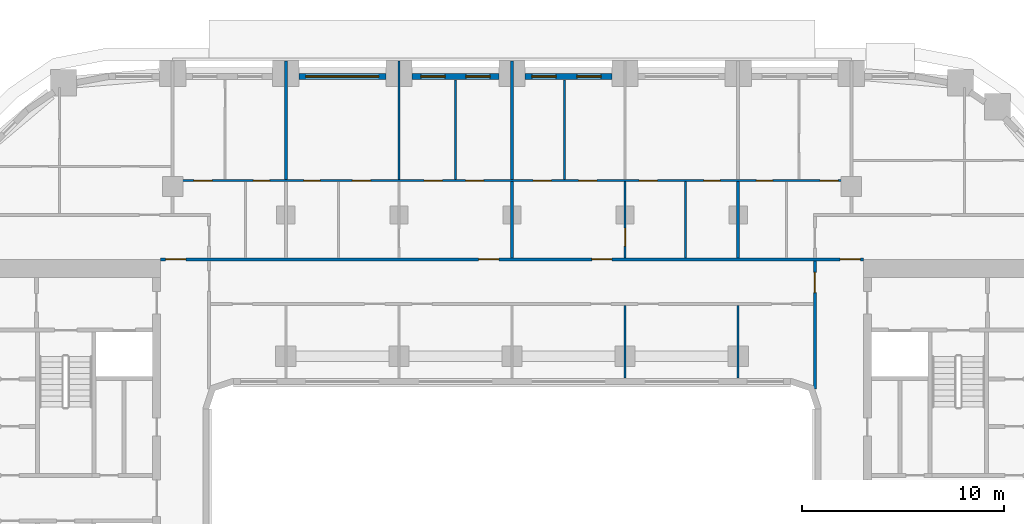
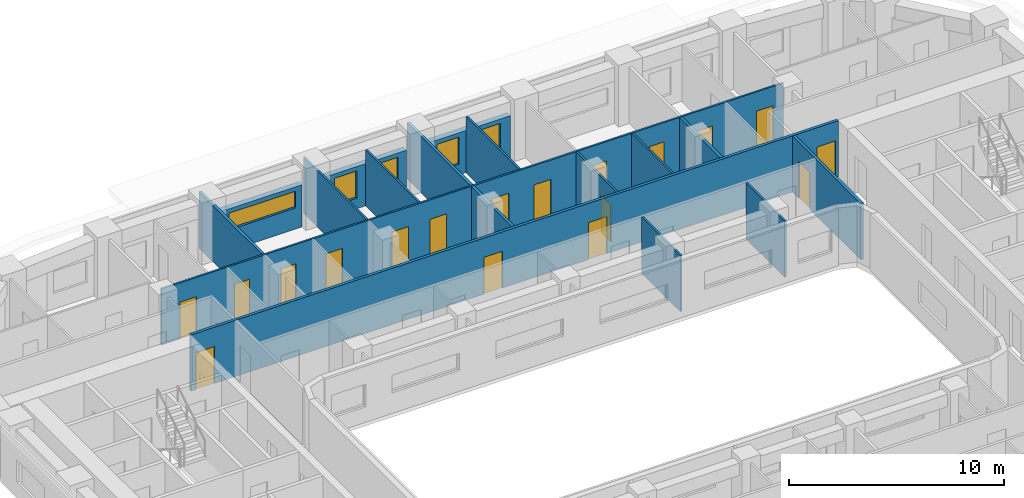
# One storey, part 9 of 22: 18 doors, 17 walls, 5 windows, 23 openings.
"""IFC4 building model written with IfcOpenShell, lengths in metres."""

from ifc_helpers import new_model, si_unit, direction, frame, frame_2d, origin, place, context, subcontext, project, spatial, rectangle, extrude, material, layer, layer_set, type_object, element, fill, save


model = new_model("IFC4")

# Units and contexts
model_context = context("Model", 3, precision=1e-05, world=origin(), true_north=direction((0.0, 1.0)))
body_context = subcontext(model_context, "Body", "Model", "MODEL_VIEW")
ifc_project = project(units=[si_unit("LENGTHUNIT", "METRE"), si_unit("AREAUNIT", "SQUARE_METRE"), si_unit("VOLUMEUNIT", "CUBIC_METRE"), si_unit("PLANEANGLEUNIT", "RADIAN"), si_unit("MASSUNIT", "GRAM", prefix="KILO")], contexts=[model_context])

# Site, building, storey
site_placement = place(None, origin())
site = spatial("IfcSite", under=ifc_project, at=site_placement, CompositionType="ELEMENT")
building_placement = place(site_placement, origin())
building = spatial("IfcBuilding", under=site, at=building_placement, Name="Kiln Ring Residences", CompositionType="ELEMENT")
storey_placement = place(building_placement, frame((0.0, 0.0, 90.300048828125)))
storey = spatial("IfcBuildingStorey", under=building, at=storey_placement, Name="L22", CompositionType="ELEMENT", Elevation=90.300048828125)

# Wall, openings, windows
ifc_material_1 = material(Name="Brick masonry, dark clay brick", Category="masonry")
ifc_layer_1 = layer(ifc_material_1, 0.300048828125)
ifc_layer_set_1 = layer_set([ifc_layer_1], Name="EW-300 BRICK WALL")
wall_type_1 = type_object("IfcWallType", Name="EW-300 BRICK WALL", PredefinedType="SOLIDWALL", material=ifc_layer_set_1)
wall_1_placement = place(storey_placement, frame((4.949951171875, 22.25, 0.0), z_axis=(0.0, 0.0, 1.0), x_axis=(-1.0, 0.0, 0.0)))
wall_1 = element("IfcWall", 1, at=wall_1_placement, inside=storey, type_object=wall_type_1, Name="Facade wall L22 31", PredefinedType="SOLIDWALL", context=body_context, shape_type="SweptSolid", body=[
    extrude(rectangle(XDim=4.300048828125, YDim=0.300048828125, at=frame_2d((2.14990234375, 0.0))), origin(), (0.0, 0.0, 1.0), 2.39990234375),
])
opening_1_placement = place(wall_1_placement, frame((0.53759765625, 0.0, 0.60009765625)))
opening_1 = element("IfcOpeningElement", 2, at=opening_1_placement, cuts=wall_1, Name="Opening W1", PredefinedType="OPENING", context=body_context, shape_type="SweptSolid", body=[
    extrude(rectangle(XDim=1.199951171875, YDim=1.550048828125, at=frame_2d((0.60009765625, 0.77490234375))), frame((0.0, 0.159912109375, 0.0), z_axis=(0.0, -1.0, 0.0), x_axis=(1.0, 0.0, 0.0)), (0.0, 0.0, 1.0), 0.320068359375),
])
opening_2_placement = place(wall_1_placement, frame((2.762451171875, 0.0, 0.60009765625)))
opening_2 = element("IfcOpeningElement", 3, at=opening_2_placement, cuts=wall_1, Name="Opening W1", PredefinedType="OPENING", context=body_context, shape_type="SweptSolid", body=[
    extrude(rectangle(XDim=1.199951171875, YDim=1.550048828125, at=frame_2d((0.60009765625, 0.77490234375))), frame((0.0, 0.159912109375, 0.0), z_axis=(0.0, -1.0, 0.0), x_axis=(1.0, 0.0, 0.0)), (0.0, 0.0, 1.0), 0.320068359375),
])
ifc_material_2 = material(Name="Aluminium frame with double glazing", Category="aluminium")
window_type_1 = type_object("IfcWindowType", Name="WINDOW 1200 x 1550", PartitioningType="SINGLE_PANEL", PredefinedType="WINDOW", material=ifc_material_2)
window_1_placement = place(opening_1_placement, origin())
window_1 = element("IfcWindow", 4, at=window_1_placement, inside=storey, type_object=window_type_1, Name="Window L22 20", OverallHeight=1.550048828125, OverallWidth=1.199951171875, PartitioningType="SINGLE_PANEL", PredefinedType="WINDOW", context=body_context, shape_type="SweptSolid", body=[
    extrude(rectangle(XDim=1.199951171875, YDim=1.550048828125, at=frame_2d((0.60009765625, 0.77490234375))), frame((0.0, 0.030029296875, 0.0), z_axis=(0.0, -1.0, 0.0), x_axis=(1.0, 0.0, 0.0)), (0.0, 0.0, 1.0), 0.06005859375),
])
fill(opening_1, window_1)
window_2_placement = place(opening_2_placement, origin())
window_2 = element("IfcWindow", 5, at=window_2_placement, inside=storey, type_object=window_type_1, Name="Window L22 21", OverallHeight=1.550048828125, OverallWidth=1.199951171875, PartitioningType="SINGLE_PANEL", PredefinedType="WINDOW", context=body_context, shape_type="SweptSolid", body=[
    extrude(rectangle(XDim=1.199951171875, YDim=1.550048828125, at=frame_2d((0.60009765625, 0.77490234375))), frame((0.0, 0.030029296875, 0.0), z_axis=(0.0, -1.0, 0.0), x_axis=(1.0, 0.0, 0.0)), (0.0, 0.0, 1.0), 0.06005859375),
])
fill(opening_2, window_2)

wall_2_placement = place(storey_placement, frame((-0.64990234375, 22.25, 0.0), z_axis=(0.0, 0.0, 1.0), x_axis=(-1.0, 0.0, 0.0)))
wall_2 = element("IfcWall", 6, at=wall_2_placement, inside=storey, type_object=wall_type_1, Name="Facade wall L22 32", PredefinedType="SOLIDWALL", context=body_context, shape_type="SweptSolid", body=[
    extrude(rectangle(XDim=4.300048828125, YDim=0.300048828125, at=frame_2d((2.14990234375, 0.0))), origin(), (0.0, 0.0, 1.0), 2.39990234375),
])
opening_3_placement = place(wall_2_placement, frame((0.4375, 0.0, 0.60009765625)))
opening_3 = element("IfcOpeningElement", 7, at=opening_3_placement, cuts=wall_2, Name="Opening W1", PredefinedType="OPENING", context=body_context, shape_type="SweptSolid", body=[
    extrude(rectangle(XDim=1.199951171875, YDim=1.550048828125, at=frame_2d((0.60009765625, 0.77490234375))), frame((0.0, 0.159912109375, 0.0), z_axis=(0.0, -1.0, 0.0), x_axis=(1.0, 0.0, 0.0)), (0.0, 0.0, 1.0), 0.320068359375),
])
opening_4_placement = place(wall_2_placement, frame((2.66259765625, 0.0, 0.60009765625)))
opening_4 = element("IfcOpeningElement", 8, at=opening_4_placement, cuts=wall_2, Name="Opening W1", PredefinedType="OPENING", context=body_context, shape_type="SweptSolid", body=[
    extrude(rectangle(XDim=1.199951171875, YDim=1.550048828125, at=frame_2d((0.60009765625, 0.77490234375))), frame((0.0, 0.159912109375, 0.0), z_axis=(0.0, -1.0, 0.0), x_axis=(1.0, 0.0, 0.0)), (0.0, 0.0, 1.0), 0.320068359375),
])
window_3_placement = place(opening_3_placement, origin())
window_3 = element("IfcWindow", 9, at=window_3_placement, inside=storey, type_object=window_type_1, Name="Window L22 22", OverallHeight=1.550048828125, OverallWidth=1.199951171875, PartitioningType="SINGLE_PANEL", PredefinedType="WINDOW", context=body_context, shape_type="SweptSolid", body=[
    extrude(rectangle(XDim=1.199951171875, YDim=1.550048828125, at=frame_2d((0.60009765625, 0.77490234375))), frame((0.0, 0.030029296875, 0.0), z_axis=(0.0, -1.0, 0.0), x_axis=(1.0, 0.0, 0.0)), (0.0, 0.0, 1.0), 0.06005859375),
])
fill(opening_3, window_3)
window_4_placement = place(opening_4_placement, origin())
window_4 = element("IfcWindow", 10, at=window_4_placement, inside=storey, type_object=window_type_1, Name="Window L22 23", OverallHeight=1.550048828125, OverallWidth=1.199951171875, PartitioningType="SINGLE_PANEL", PredefinedType="WINDOW", context=body_context, shape_type="SweptSolid", body=[
    extrude(rectangle(XDim=1.199951171875, YDim=1.550048828125, at=frame_2d((0.60009765625, 0.77490234375))), frame((0.0, 0.030029296875, 0.0), z_axis=(0.0, -1.0, 0.0), x_axis=(1.0, 0.0, 0.0)), (0.0, 0.0, 1.0), 0.06005859375),
])
fill(opening_4, window_4)

# Wall, opening, window
wall_3_placement = place(storey_placement, frame((-6.25, 22.25, 0.0), z_axis=(0.0, 0.0, 1.0), x_axis=(-1.0, 0.0, 0.0)))
wall_3 = element("IfcWall", 11, at=wall_3_placement, inside=storey, type_object=wall_type_1, Name="Facade wall L22 33", PredefinedType="SOLIDWALL", context=body_context, shape_type="SweptSolid", body=[
    extrude(rectangle(XDim=4.300048828125, YDim=0.300048828125, at=frame_2d((2.14990234375, 0.0))), origin(), (0.0, 0.0, 1.0), 2.39990234375),
])
opening_5_placement = place(wall_3_placement, frame((0.35009765625, 0.0, 1.199951171875)))
opening_5 = element("IfcOpeningElement", 12, at=opening_5_placement, cuts=wall_3, Name="Opening W4", PredefinedType="OPENING", context=body_context, shape_type="SweptSolid", body=[
    extrude(rectangle(XDim=3.60009765625, YDim=0.949951171875, at=frame_2d((1.800048828125, 0.47509765625))), frame((0.0, 0.159912109375, 0.0), z_axis=(0.0, -1.0, 0.0), x_axis=(1.0, 0.0, 0.0)), (0.0, 0.0, 1.0), 0.320068359375),
])
ifc_material_3 = material(Name="Aluminium frame with double glazing", Category="aluminium")
window_type_2 = type_object("IfcWindowType", Name="WINDOW 3600 x 950", PartitioningType="SINGLE_PANEL", PredefinedType="WINDOW", material=ifc_material_3)
window_5_placement = place(opening_5_placement, origin())
window_5 = element("IfcWindow", 13, at=window_5_placement, inside=storey, type_object=window_type_2, Name="Window L22 24", OverallHeight=0.949951171875, OverallWidth=3.60009765625, PartitioningType="SINGLE_PANEL", PredefinedType="WINDOW", context=body_context, shape_type="SweptSolid", body=[
    extrude(rectangle(XDim=3.60009765625, YDim=0.949951171875, at=frame_2d((1.800048828125, 0.47509765625))), frame((0.0, 0.030029296875, 0.0), z_axis=(0.0, -1.0, 0.0), x_axis=(1.0, 0.0, 0.0)), (0.0, 0.0, 1.0), 0.06005859375),
])
fill(opening_5, window_5)

# Wall, openings, doors
ifc_material_4 = material(Name="Gypsum board on steel studs", Category="steel")
ifc_layer_2 = layer(ifc_material_4, 0.10009765625)
ifc_layer_set_2 = layer_set([ifc_layer_2], Name="PARTITION-100")
wall_type_2 = type_object("IfcWallType", Name="PARTITION-100", PredefinedType="PARTITIONING", material=ifc_layer_set_2)
wall_4_placement = place(storey_placement, frame((-16.72509765625, 17.10009765625, 0.0), z_axis=(0.0, 0.0, 1.0), x_axis=(1.0, 0.0, 0.0)))
wall_4 = element("IfcWall", 14, at=wall_4_placement, inside=storey, type_object=wall_type_2, Name="Partition 011", PredefinedType="PARTITIONING", context=body_context, shape_type="SweptSolid", body=[
    extrude(rectangle(XDim=33.4501953125, YDim=0.10009765625, at=frame_2d((16.72509765625, 0.0))), origin(), (0.0, 0.0, 1.0), 3.199951171875),
])
opening_6_placement = place(wall_4_placement, frame((3.925048828125, 0.0, 0.0)))
opening_6 = element("IfcOpeningElement", 15, at=opening_6_placement, cuts=wall_4, Name="Opening L22-D016", PredefinedType="OPENING", context=body_context, shape_type="SweptSolid", body=[
    extrude(rectangle(XDim=0.800048828125, YDim=2.10009765625, at=frame_2d((0.39990234375, 1.050048828125))), frame((0.0, 0.06005859375, 0.0), z_axis=(0.0, -1.0, 0.0), x_axis=(1.0, 0.0, 0.0)), (0.0, 0.0, 1.0), 0.1201171875),
])
opening_7_placement = place(wall_4_placement, frame((0.97509765625, 0.0, 0.0)))
opening_7 = element("IfcOpeningElement", 16, at=opening_7_placement, cuts=wall_4, Name="Opening L22-D017", PredefinedType="OPENING", context=body_context, shape_type="SweptSolid", body=[
    extrude(rectangle(XDim=0.89990234375, YDim=2.10009765625, at=frame_2d((0.449951171875, 1.050048828125))), frame((0.0, 0.06005859375, 0.0), z_axis=(0.0, -1.0, 0.0), x_axis=(1.0, 0.0, 0.0)), (0.0, 0.0, 1.0), 0.1201171875),
])
opening_8_placement = place(wall_4_placement, frame((6.425048828125, 0.0, 0.0)))
opening_8 = element("IfcOpeningElement", 17, at=opening_8_placement, cuts=wall_4, Name="Opening L22-D021", PredefinedType="OPENING", context=body_context, shape_type="SweptSolid", body=[
    extrude(rectangle(XDim=0.800048828125, YDim=2.10009765625, at=frame_2d((0.39990234375, 1.050048828125))), frame((0.0, 0.06005859375, 0.0), z_axis=(0.0, -1.0, 0.0), x_axis=(1.0, 0.0, 0.0)), (0.0, 0.0, 1.0), 0.1201171875),
])
opening_9_placement = place(wall_4_placement, frame((8.824951171875, 0.0, 0.0)))
opening_9 = element("IfcOpeningElement", 18, at=opening_9_placement, cuts=wall_4, Name="Opening L22-D022", PredefinedType="OPENING", context=body_context, shape_type="SweptSolid", body=[
    extrude(rectangle(XDim=0.89990234375, YDim=2.10009765625, at=frame_2d((0.449951171875, 1.050048828125))), frame((0.0, 0.06005859375, 0.0), z_axis=(0.0, -1.0, 0.0), x_axis=(1.0, 0.0, 0.0)), (0.0, 0.0, 1.0), 0.1201171875),
])
opening_10_placement = place(wall_4_placement, frame((12.375, 0.0, 0.0)))
opening_10 = element("IfcOpeningElement", 19, at=opening_10_placement, cuts=wall_4, Name="Opening L22-D023", PredefinedType="OPENING", context=body_context, shape_type="SweptSolid", body=[
    extrude(rectangle(XDim=0.89990234375, YDim=2.10009765625, at=frame_2d((0.449951171875, 1.050048828125))), frame((0.0, 0.06005859375, 0.0), z_axis=(0.0, -1.0, 0.0), x_axis=(1.0, 0.0, 0.0)), (0.0, 0.0, 1.0), 0.1201171875),
])
opening_11_placement = place(wall_4_placement, frame((14.425048828125, 0.0, 0.0)))
opening_11 = element("IfcOpeningElement", 20, at=opening_11_placement, cuts=wall_4, Name="Opening L22-D024", PredefinedType="OPENING", context=body_context, shape_type="SweptSolid", body=[
    extrude(rectangle(XDim=0.89990234375, YDim=2.10009765625, at=frame_2d((0.449951171875, 1.050048828125))), frame((0.0, 0.06005859375, 0.0), z_axis=(0.0, -1.0, 0.0), x_axis=(1.0, 0.0, 0.0)), (0.0, 0.0, 1.0), 0.1201171875),
])
opening_12_placement = place(wall_4_placement, frame((26.22509765625, 0.0, 0.0)))
opening_12 = element("IfcOpeningElement", 21, at=opening_12_placement, cuts=wall_4, Name="Opening L22-D027", PredefinedType="OPENING", context=body_context, shape_type="SweptSolid", body=[
    extrude(rectangle(XDim=0.800048828125, YDim=2.10009765625, at=frame_2d((0.39990234375, 1.050048828125))), frame((0.0, 0.06005859375, 0.0), z_axis=(0.0, -1.0, 0.0), x_axis=(1.0, 0.0, 0.0)), (0.0, 0.0, 1.0), 0.1201171875),
])
opening_13_placement = place(wall_4_placement, frame((23.02490234375, 0.0, 0.0)))
opening_13 = element("IfcOpeningElement", 22, at=opening_13_placement, cuts=wall_4, Name="Opening L22-D028", PredefinedType="OPENING", context=body_context, shape_type="SweptSolid", body=[
    extrude(rectangle(XDim=0.89990234375, YDim=2.10009765625, at=frame_2d((0.449951171875, 1.050048828125))), frame((0.0, 0.06005859375, 0.0), z_axis=(0.0, -1.0, 0.0), x_axis=(1.0, 0.0, 0.0)), (0.0, 0.0, 1.0), 0.1201171875),
])
opening_14_placement = place(wall_4_placement, frame((17.77490234375, 0.0, 0.0)))
opening_14 = element("IfcOpeningElement", 23, at=opening_14_placement, cuts=wall_4, Name="Opening L22-D029", PredefinedType="OPENING", context=body_context, shape_type="SweptSolid", body=[
    extrude(rectangle(XDim=0.89990234375, YDim=2.10009765625, at=frame_2d((0.449951171875, 1.050048828125))), frame((0.0, 0.06005859375, 0.0), z_axis=(0.0, -1.0, 0.0), x_axis=(1.0, 0.0, 0.0)), (0.0, 0.0, 1.0), 0.1201171875),
])
opening_15_placement = place(wall_4_placement, frame((20.02490234375, 0.0, 0.0)))
opening_15 = element("IfcOpeningElement", 24, at=opening_15_placement, cuts=wall_4, Name="Opening L22-D030", PredefinedType="OPENING", context=body_context, shape_type="SweptSolid", body=[
    extrude(rectangle(XDim=0.89990234375, YDim=2.10009765625, at=frame_2d((0.449951171875, 1.050048828125))), frame((0.0, 0.06005859375, 0.0), z_axis=(0.0, -1.0, 0.0), x_axis=(1.0, 0.0, 0.0)), (0.0, 0.0, 1.0), 0.1201171875),
])
opening_16_placement = place(wall_4_placement, frame((28.824951171875, 0.0, 0.0)))
opening_16 = element("IfcOpeningElement", 25, at=opening_16_placement, cuts=wall_4, Name="Opening L22-D032", PredefinedType="OPENING", context=body_context, shape_type="SweptSolid", body=[
    extrude(rectangle(XDim=0.800048828125, YDim=2.10009765625, at=frame_2d((0.39990234375, 1.050048828125))), frame((0.0, 0.06005859375, 0.0), z_axis=(0.0, -1.0, 0.0), x_axis=(1.0, 0.0, 0.0)), (0.0, 0.0, 1.0), 0.1201171875),
])
opening_17_placement = place(wall_4_placement, frame((31.97509765625, 0.0, 0.0)))
opening_17 = element("IfcOpeningElement", 26, at=opening_17_placement, cuts=wall_4, Name="Opening L22-D033", PredefinedType="OPENING", context=body_context, shape_type="SweptSolid", body=[
    extrude(rectangle(XDim=0.89990234375, YDim=2.10009765625, at=frame_2d((0.449951171875, 1.050048828125))), frame((0.0, 0.06005859375, 0.0), z_axis=(0.0, -1.0, 0.0), x_axis=(1.0, 0.0, 0.0)), (0.0, 0.0, 1.0), 0.1201171875),
])
ifc_material_5 = material(Name="Timber door leaf", Category="wood")
door_type_1 = type_object("IfcDoorType", Name="FLAT-DOOR-800-PL", OperationType="SINGLE_SWING_LEFT", PredefinedType="DOOR", material=ifc_material_5)
door_1_placement = place(opening_6_placement, origin())
door_1 = element("IfcDoor", 27, at=door_1_placement, inside=storey, type_object=door_type_1, Name="Door L22-D016", OperationType="SINGLE_SWING_LEFT", OverallHeight=2.10009765625, OverallWidth=0.800048828125, PredefinedType="DOOR", context=body_context, shape_type="SweptSolid", body=[
    extrude(rectangle(XDim=0.800048828125, YDim=2.10009765625, at=frame_2d((0.39990234375, 1.050048828125))), frame((0.0, 0.02490234375, 0.0), z_axis=(0.0, -1.0, 0.0), x_axis=(1.0, 0.0, 0.0)), (0.0, 0.0, 1.0), 0.050048828125),
])
fill(opening_6, door_1)
door_2_placement = place(opening_8_placement, origin())
door_2 = element("IfcDoor", 28, at=door_2_placement, inside=storey, type_object=door_type_1, Name="Door L22-D021", OperationType="SINGLE_SWING_LEFT", OverallHeight=2.10009765625, OverallWidth=0.800048828125, PredefinedType="DOOR", context=body_context, shape_type="SweptSolid", body=[
    extrude(rectangle(XDim=0.800048828125, YDim=2.10009765625, at=frame_2d((0.39990234375, 1.050048828125))), frame((0.0, 0.02490234375, 0.0), z_axis=(0.0, -1.0, 0.0), x_axis=(1.0, 0.0, 0.0)), (0.0, 0.0, 1.0), 0.050048828125),
])
fill(opening_8, door_2)
door_3_placement = place(opening_12_placement, origin())
door_3 = element("IfcDoor", 29, at=door_3_placement, inside=storey, type_object=door_type_1, Name="Door L22-D027", OperationType="SINGLE_SWING_LEFT", OverallHeight=2.10009765625, OverallWidth=0.800048828125, PredefinedType="DOOR", context=body_context, shape_type="SweptSolid", body=[
    extrude(rectangle(XDim=0.800048828125, YDim=2.10009765625, at=frame_2d((0.39990234375, 1.050048828125))), frame((0.0, 0.02490234375, 0.0), z_axis=(0.0, -1.0, 0.0), x_axis=(1.0, 0.0, 0.0)), (0.0, 0.0, 1.0), 0.050048828125),
])
fill(opening_12, door_3)
door_4_placement = place(opening_16_placement, origin())
door_4 = element("IfcDoor", 30, at=door_4_placement, inside=storey, type_object=door_type_1, Name="Door L22-D032", OperationType="SINGLE_SWING_RIGHT", OverallHeight=2.10009765625, OverallWidth=0.800048828125, PredefinedType="DOOR", context=body_context, shape_type="SweptSolid", body=[
    extrude(rectangle(XDim=0.800048828125, YDim=2.10009765625, at=frame_2d((0.39990234375, 1.050048828125))), frame((0.0, 0.02490234375, 0.0), z_axis=(0.0, -1.0, 0.0), x_axis=(1.0, 0.0, 0.0)), (0.0, 0.0, 1.0), 0.050048828125),
])
fill(opening_16, door_4)
ifc_material_6 = material(Name="Timber door leaf", Category="wood")
door_type_2 = type_object("IfcDoorType", Name="FLAT-DOOR-900-PL", OperationType="SINGLE_SWING_LEFT", PredefinedType="DOOR", material=ifc_material_6)
door_5_placement = place(opening_7_placement, origin())
door_5 = element("IfcDoor", 31, at=door_5_placement, inside=storey, type_object=door_type_2, Name="Door L22-D017", OperationType="SINGLE_SWING_LEFT", OverallHeight=2.10009765625, OverallWidth=0.89990234375, PredefinedType="DOOR", context=body_context, shape_type="SweptSolid", body=[
    extrude(rectangle(XDim=0.89990234375, YDim=2.10009765625, at=frame_2d((0.449951171875, 1.050048828125))), frame((0.0, 0.02490234375, 0.0), z_axis=(0.0, -1.0, 0.0), x_axis=(1.0, 0.0, 0.0)), (0.0, 0.0, 1.0), 0.050048828125),
])
fill(opening_7, door_5)
door_6_placement = place(opening_9_placement, origin())
door_6 = element("IfcDoor", 32, at=door_6_placement, inside=storey, type_object=door_type_2, Name="Door L22-D022", OperationType="SINGLE_SWING_RIGHT", OverallHeight=2.10009765625, OverallWidth=0.89990234375, PredefinedType="DOOR", context=body_context, shape_type="SweptSolid", body=[
    extrude(rectangle(XDim=0.89990234375, YDim=2.10009765625, at=frame_2d((0.449951171875, 1.050048828125))), frame((0.0, 0.02490234375, 0.0), z_axis=(0.0, -1.0, 0.0), x_axis=(1.0, 0.0, 0.0)), (0.0, 0.0, 1.0), 0.050048828125),
])
fill(opening_9, door_6)
door_7_placement = place(opening_10_placement, origin())
door_7 = element("IfcDoor", 33, at=door_7_placement, inside=storey, type_object=door_type_2, Name="Door L22-D023", OperationType="SINGLE_SWING_LEFT", OverallHeight=2.10009765625, OverallWidth=0.89990234375, PredefinedType="DOOR", context=body_context, shape_type="SweptSolid", body=[
    extrude(rectangle(XDim=0.89990234375, YDim=2.10009765625, at=frame_2d((0.449951171875, 1.050048828125))), frame((0.0, 0.02490234375, 0.0), z_axis=(0.0, -1.0, 0.0), x_axis=(1.0, 0.0, 0.0)), (0.0, 0.0, 1.0), 0.050048828125),
])
fill(opening_10, door_7)
door_8_placement = place(opening_11_placement, origin())
door_8 = element("IfcDoor", 34, at=door_8_placement, inside=storey, type_object=door_type_2, Name="Door L22-D024", OperationType="SINGLE_SWING_RIGHT", OverallHeight=2.10009765625, OverallWidth=0.89990234375, PredefinedType="DOOR", context=body_context, shape_type="SweptSolid", body=[
    extrude(rectangle(XDim=0.89990234375, YDim=2.10009765625, at=frame_2d((0.449951171875, 1.050048828125))), frame((0.0, 0.02490234375, 0.0), z_axis=(0.0, -1.0, 0.0), x_axis=(1.0, 0.0, 0.0)), (0.0, 0.0, 1.0), 0.050048828125),
])
fill(opening_11, door_8)
door_9_placement = place(opening_13_placement, origin())
door_9 = element("IfcDoor", 35, at=door_9_placement, inside=storey, type_object=door_type_2, Name="Door L22-D028", OperationType="SINGLE_SWING_RIGHT", OverallHeight=2.10009765625, OverallWidth=0.89990234375, PredefinedType="DOOR", context=body_context, shape_type="SweptSolid", body=[
    extrude(rectangle(XDim=0.89990234375, YDim=2.10009765625, at=frame_2d((0.449951171875, 1.050048828125))), frame((0.0, 0.02490234375, 0.0), z_axis=(0.0, -1.0, 0.0), x_axis=(1.0, 0.0, 0.0)), (0.0, 0.0, 1.0), 0.050048828125),
])
fill(opening_13, door_9)
door_10_placement = place(opening_14_placement, origin())
door_10 = element("IfcDoor", 36, at=door_10_placement, inside=storey, type_object=door_type_2, Name="Door L22-D029", OperationType="SINGLE_SWING_LEFT", OverallHeight=2.10009765625, OverallWidth=0.89990234375, PredefinedType="DOOR", context=body_context, shape_type="SweptSolid", body=[
    extrude(rectangle(XDim=0.89990234375, YDim=2.10009765625, at=frame_2d((0.449951171875, 1.050048828125))), frame((0.0, 0.02490234375, 0.0), z_axis=(0.0, -1.0, 0.0), x_axis=(1.0, 0.0, 0.0)), (0.0, 0.0, 1.0), 0.050048828125),
])
fill(opening_14, door_10)
door_11_placement = place(opening_15_placement, origin())
door_11 = element("IfcDoor", 37, at=door_11_placement, inside=storey, type_object=door_type_2, Name="Door L22-D030", OperationType="SINGLE_SWING_RIGHT", OverallHeight=2.10009765625, OverallWidth=0.89990234375, PredefinedType="DOOR", context=body_context, shape_type="SweptSolid", body=[
    extrude(rectangle(XDim=0.89990234375, YDim=2.10009765625, at=frame_2d((0.449951171875, 1.050048828125))), frame((0.0, 0.02490234375, 0.0), z_axis=(0.0, -1.0, 0.0), x_axis=(1.0, 0.0, 0.0)), (0.0, 0.0, 1.0), 0.050048828125),
])
fill(opening_15, door_11)
door_12_placement = place(opening_17_placement, origin())
door_12 = element("IfcDoor", 38, at=door_12_placement, inside=storey, type_object=door_type_2, Name="Door L22-D033", OperationType="SINGLE_SWING_LEFT", OverallHeight=2.10009765625, OverallWidth=0.89990234375, PredefinedType="DOOR", context=body_context, shape_type="SweptSolid", body=[
    extrude(rectangle(XDim=0.89990234375, YDim=2.10009765625, at=frame_2d((0.449951171875, 1.050048828125))), frame((0.0, 0.02490234375, 0.0), z_axis=(0.0, -1.0, 0.0), x_axis=(1.0, 0.0, 0.0)), (0.0, 0.0, 1.0), 0.050048828125),
])
fill(opening_17, door_12)

# Walls
wall_5_placement = place(storey_placement, frame((-5.60009765625, 17.14990234375, 0.0), z_axis=(0.0, 0.0, 1.0), x_axis=(0.0, 1.0, 0.0)))
element("IfcWall", 39, at=wall_5_placement, inside=storey, type_object=wall_type_2, Name="Partition 040", PredefinedType="PARTITIONING", context=body_context, shape_type="SweptSolid", body=[
    extrude(rectangle(XDim=5.880126953125, YDim=0.10009765625, at=frame_2d((2.93994140625, 0.0))), origin(), (0.0, 0.0, 1.0), 3.199951171875),
])
for number, where, z_axis, x_axis, name in (
    (40, (-2.800048828125, 17.14990234375, 0.0), (0.0, 0.0, 1.0), (0.0, 1.0, 0.0), "Partition 045"),
    (41, (2.60009765625, 17.14990234375, 0.0), (0.0, 0.0, 1.0), (0.0, 1.0, 0.0), "Partition 053"),
):
    element("IfcWall", number, at=place(storey_placement, frame(where, z_axis=z_axis, x_axis=x_axis)), inside=storey, type_object=wall_type_2, Name=name, PredefinedType="PARTITIONING", context=body_context, shape_type="SweptSolid", body=[
        extrude(rectangle(XDim=4.93017578125, YDim=0.10009765625, at=frame_2d((2.465087890625, 0.0))), origin(), (0.0, 0.0, 1.0), 3.199951171875),
    ])
wall_6_placement = place(storey_placement, frame((5.60009765625, 7.320068359375, 0.0), z_axis=(0.0, 0.0, 1.0), x_axis=(0.0, 1.0, 0.0)))
element("IfcWall", 42, at=wall_6_placement, inside=storey, type_object=wall_type_2, Name="Partition 056", PredefinedType="PARTITIONING", context=body_context, shape_type="SweptSolid", body=[
    extrude(rectangle(XDim=3.60498046875, YDim=0.10009765625, at=frame_2d((1.802490234375, 0.0))), origin(), (0.0, 0.0, 1.0), 3.199951171875),
])

# Wall, opening, door
wall_7_placement = place(storey_placement, frame((5.60009765625, 13.27490234375, 0.0), z_axis=(0.0, 0.0, 1.0), x_axis=(0.0, 1.0, 0.0)))
wall_7 = element("IfcWall", 43, at=wall_7_placement, inside=storey, type_object=wall_type_2, Name="Partition 057", PredefinedType="PARTITIONING", context=body_context, shape_type="SweptSolid", body=[
    extrude(rectangle(XDim=3.775146484375, YDim=0.10009765625, at=frame_2d((1.8876953125, 0.0))), origin(), (0.0, 0.0, 1.0), 3.199951171875),
])
opening_18_placement = place(wall_7_placement, frame((0.575927734375, 0.0, 0.0)))
opening_18 = element("IfcOpeningElement", 44, at=opening_18_placement, cuts=wall_7, Name="Opening L22-D026", PredefinedType="OPENING", context=body_context, shape_type="SweptSolid", body=[
    extrude(rectangle(XDim=0.89990234375, YDim=2.10009765625, at=frame_2d((0.449951171875, 1.050048828125))), frame((0.0, 0.06005859375, 0.0), z_axis=(0.0, -1.0, 0.0), x_axis=(1.0, 0.0, 0.0)), (0.0, 0.0, 1.0), 0.1201171875),
])
door_13_placement = place(opening_18_placement, origin())
door_13 = element("IfcDoor", 45, at=door_13_placement, inside=storey, type_object=door_type_2, Name="Door L22-D026", OperationType="SINGLE_SWING_LEFT", OverallHeight=2.10009765625, OverallWidth=0.89990234375, PredefinedType="DOOR", context=body_context, shape_type="SweptSolid", body=[
    extrude(rectangle(XDim=0.89990234375, YDim=2.10009765625, at=frame_2d((0.449951171875, 1.050048828125))), frame((0.0, 0.02490234375, 0.0), z_axis=(0.0, -1.0, 0.0), x_axis=(1.0, 0.0, 0.0)), (0.0, 0.0, 1.0), 0.050048828125),
])
fill(opening_18, door_13)

# Walls
wall_8_placement = place(storey_placement, frame((8.60009765625, 13.27490234375, 0.0), z_axis=(0.0, 0.0, 1.0), x_axis=(0.0, 1.0, 0.0)))
element("IfcWall", 46, at=wall_8_placement, inside=storey, type_object=wall_type_2, Name="Partition 063", PredefinedType="PARTITIONING", context=body_context, shape_type="SweptSolid", body=[
    extrude(rectangle(XDim=3.775146484375, YDim=0.10009765625, at=frame_2d((1.8876953125, 0.0))), origin(), (0.0, 0.0, 1.0), 3.199951171875),
])
wall_9_placement = place(storey_placement, frame((11.199951171875, 7.320068359375, 0.0), z_axis=(0.0, 0.0, 1.0), x_axis=(0.0, 1.0, 0.0)))
element("IfcWall", 47, at=wall_9_placement, inside=storey, type_object=wall_type_2, Name="Partition 067", PredefinedType="PARTITIONING", context=body_context, shape_type="SweptSolid", body=[
    extrude(rectangle(XDim=3.60498046875, YDim=0.10009765625, at=frame_2d((1.802490234375, 0.0))), origin(), (0.0, 0.0, 1.0), 3.199951171875),
])

# Wall, openings, doors
ifc_material_7 = material(Name="Brick masonry partition", Category="masonry")
ifc_layer_3 = layer(ifc_material_7, 0.14990234375)
ifc_layer_set_3 = layer_set([ifc_layer_3], Name="PARTITION-150-ei60")
wall_type_3 = type_object("IfcWallType", Name="PARTITION-150-ei60", PredefinedType="PARTITIONING", material=ifc_layer_set_3)
wall_10_placement = place(storey_placement, frame((-17.39990234375, 13.199951171875, 0.0), z_axis=(0.0, 0.0, 1.0), x_axis=(1.0, 0.0, 0.0)))
wall_10 = element("IfcWall", 48, at=wall_10_placement, inside=storey, type_object=wall_type_3, Name="Partition 008", PredefinedType="PARTITIONING", context=body_context, shape_type="SweptSolid", body=[
    extrude(rectangle(XDim=34.7998046875, YDim=0.14990234375, at=frame_2d((17.39990234375, 0.0))), origin(), (0.0, 0.0, 1.0), 3.199951171875),
])
opening_19_placement = place(wall_10_placement, frame((0.25, 0.0, 0.0)))
opening_19 = element("IfcOpeningElement", 49, at=opening_19_placement, cuts=wall_10, Name="Opening L22-D003", PredefinedType="OPENING", context=body_context, shape_type="SweptSolid", body=[
    extrude(rectangle(XDim=1.0, YDim=2.10009765625, at=frame_2d((0.5, 1.050048828125))), frame((0.0, 0.0849609375, 0.0), z_axis=(0.0, -1.0, 0.0), x_axis=(1.0, 0.0, 0.0)), (0.0, 0.0, 1.0), 0.169921875),
])
opening_20_placement = place(wall_10_placement, frame((33.64990234375, 0.0, 0.0)))
opening_20 = element("IfcOpeningElement", 50, at=opening_20_placement, cuts=wall_10, Name="Opening L22-D004", PredefinedType="OPENING", context=body_context, shape_type="SweptSolid", body=[
    extrude(rectangle(XDim=1.0, YDim=2.10009765625, at=frame_2d((0.5, 1.050048828125))), frame((0.0, 0.0849609375, 0.0), z_axis=(0.0, -1.0, 0.0), x_axis=(1.0, 0.0, 0.0)), (0.0, 0.0, 1.0), 0.169921875),
])
opening_21_placement = place(wall_10_placement, frame((15.75, 0.0, 0.0)))
opening_21 = element("IfcOpeningElement", 51, at=opening_21_placement, cuts=wall_10, Name="Opening L22-D019", PredefinedType="OPENING", context=body_context, shape_type="SweptSolid", body=[
    extrude(rectangle(XDim=1.0, YDim=2.10009765625, at=frame_2d((0.5, 1.050048828125))), frame((0.0, 0.0849609375, 0.0), z_axis=(0.0, -1.0, 0.0), x_axis=(1.0, 0.0, 0.0)), (0.0, 0.0, 1.0), 0.169921875),
])
opening_22_placement = place(wall_10_placement, frame((21.35009765625, 0.0, 0.0)))
opening_22 = element("IfcOpeningElement", 52, at=opening_22_placement, cuts=wall_10, Name="Opening L22-D025", PredefinedType="OPENING", context=body_context, shape_type="SweptSolid", body=[
    extrude(rectangle(XDim=1.0, YDim=2.10009765625, at=frame_2d((0.5, 1.050048828125))), frame((0.0, 0.0849609375, 0.0), z_axis=(0.0, -1.0, 0.0), x_axis=(1.0, 0.0, 0.0)), (0.0, 0.0, 1.0), 0.169921875),
])
ifc_material_8 = material(Name="Steel faced fire door leaf", Category="steel")
door_type_3 = type_object("IfcDoorType", Name="FLAT-DOOR-1000-FR", OperationType="SINGLE_SWING_LEFT", PredefinedType="DOOR", material=ifc_material_8)
door_14_placement = place(opening_19_placement, origin())
door_14 = element("IfcDoor", 53, at=door_14_placement, inside=storey, type_object=door_type_3, Name="Door L22-D003", OperationType="SINGLE_SWING_LEFT", OverallHeight=2.10009765625, OverallWidth=1.0, PredefinedType="DOOR", context=body_context, shape_type="SweptSolid", body=[
    extrude(rectangle(XDim=1.0, YDim=2.10009765625, at=frame_2d((0.5, 1.050048828125))), frame((0.0, 0.02490234375, 0.0), z_axis=(0.0, -1.0, 0.0), x_axis=(1.0, 0.0, 0.0)), (0.0, 0.0, 1.0), 0.050048828125),
])
fill(opening_19, door_14)
door_15_placement = place(opening_20_placement, origin())
door_15 = element("IfcDoor", 54, at=door_15_placement, inside=storey, type_object=door_type_3, Name="Door L22-D004", OperationType="SINGLE_SWING_RIGHT", OverallHeight=2.10009765625, OverallWidth=1.0, PredefinedType="DOOR", context=body_context, shape_type="SweptSolid", body=[
    extrude(rectangle(XDim=1.0, YDim=2.10009765625, at=frame_2d((0.5, 1.050048828125))), frame((0.0, 0.02490234375, 0.0), z_axis=(0.0, -1.0, 0.0), x_axis=(1.0, 0.0, 0.0)), (0.0, 0.0, 1.0), 0.050048828125),
])
fill(opening_20, door_15)
door_16_placement = place(opening_21_placement, origin())
door_16 = element("IfcDoor", 55, at=door_16_placement, inside=storey, type_object=door_type_3, Name="Door L22-D019", OperationType="SINGLE_SWING_LEFT", OverallHeight=2.10009765625, OverallWidth=1.0, PredefinedType="DOOR", context=body_context, shape_type="SweptSolid", body=[
    extrude(rectangle(XDim=1.0, YDim=2.10009765625, at=frame_2d((0.5, 1.050048828125))), frame((0.0, 0.02490234375, 0.0), z_axis=(0.0, -1.0, 0.0), x_axis=(1.0, 0.0, 0.0)), (0.0, 0.0, 1.0), 0.050048828125),
])
fill(opening_21, door_16)
door_17_placement = place(opening_22_placement, origin())
door_17 = element("IfcDoor", 56, at=door_17_placement, inside=storey, type_object=door_type_3, Name="Door L22-D025", OperationType="SINGLE_SWING_LEFT", OverallHeight=2.10009765625, OverallWidth=1.0, PredefinedType="DOOR", context=body_context, shape_type="SweptSolid", body=[
    extrude(rectangle(XDim=1.0, YDim=2.10009765625, at=frame_2d((0.5, 1.050048828125))), frame((0.0, 0.02490234375, 0.0), z_axis=(0.0, -1.0, 0.0), x_axis=(1.0, 0.0, 0.0)), (0.0, 0.0, 1.0), 0.050048828125),
])
fill(opening_22, door_17)

# Walls
wall_11_placement = place(storey_placement, frame((-11.199951171875, 17.14990234375, 0.0), z_axis=(0.0, 0.0, 1.0), x_axis=(0.0, 1.0, 0.0)))
element("IfcWall", 57, at=wall_11_placement, inside=storey, type_object=wall_type_3, Name="Partition 034", PredefinedType="PARTITIONING", context=body_context, shape_type="SweptSolid", body=[
    extrude(rectangle(XDim=5.880126953125, YDim=0.14990234375, at=frame_2d((2.93994140625, 0.0))), origin(), (0.0, 0.0, 1.0), 3.199951171875),
])
wall_12_placement = place(storey_placement, frame((0.0, 13.27490234375, 0.0), z_axis=(0.0, 0.0, 1.0), x_axis=(0.0, 1.0, 0.0)))
element("IfcWall", 58, at=wall_12_placement, inside=storey, type_object=wall_type_3, Name="Partition 051", PredefinedType="PARTITIONING", context=body_context, shape_type="SweptSolid", body=[
    extrude(rectangle(XDim=3.775146484375, YDim=0.14990234375, at=frame_2d((1.8876953125, 0.0))), origin(), (0.0, 0.0, 1.0), 3.199951171875),
])
wall_13_placement = place(storey_placement, frame((0.0, 17.14990234375, 0.0), z_axis=(0.0, 0.0, 1.0), x_axis=(0.0, 1.0, 0.0)))
element("IfcWall", 59, at=wall_13_placement, inside=storey, type_object=wall_type_3, Name="Partition 052", PredefinedType="PARTITIONING", context=body_context, shape_type="SweptSolid", body=[
    extrude(rectangle(XDim=5.880126953125, YDim=0.14990234375, at=frame_2d((2.93994140625, 0.0))), origin(), (0.0, 0.0, 1.0), 3.199951171875),
])
wall_14_placement = place(storey_placement, frame((11.199951171875, 13.27490234375, 0.0), z_axis=(0.0, 0.0, 1.0), x_axis=(0.0, 1.0, 0.0)))
element("IfcWall", 60, at=wall_14_placement, inside=storey, type_object=wall_type_3, Name="Partition 068", PredefinedType="PARTITIONING", context=body_context, shape_type="SweptSolid", body=[
    extrude(rectangle(XDim=3.775146484375, YDim=0.14990234375, at=frame_2d((1.8876953125, 0.0))), origin(), (0.0, 0.0, 1.0), 3.199951171875),
])

# Wall, opening, door
wall_15_placement = place(storey_placement, frame((15.0, 6.768798828125, 0.0), z_axis=(0.0, 0.0, 1.0), x_axis=(0.0, 1.0, 0.0)))
wall_15 = element("IfcWall", 61, at=wall_15_placement, inside=storey, type_object=wall_type_3, Name="Partition 076", PredefinedType="PARTITIONING", context=body_context, shape_type="SweptSolid", body=[
    extrude(rectangle(XDim=6.356201171875, YDim=0.14990234375, at=frame_2d((3.17822265625, 0.0))), origin(), (0.0, 0.0, 1.0), 3.199951171875),
])
opening_23_placement = place(wall_15_placement, frame((4.78125, 0.0, 0.0)))
opening_23 = element("IfcOpeningElement", 62, at=opening_23_placement, cuts=wall_15, Name="Opening L22-D002", PredefinedType="OPENING", context=body_context, shape_type="SweptSolid", body=[
    extrude(rectangle(XDim=1.0, YDim=2.10009765625, at=frame_2d((0.5, 1.050048828125))), frame((0.0, 0.0849609375, 0.0), z_axis=(0.0, -1.0, 0.0), x_axis=(1.0, 0.0, 0.0)), (0.0, 0.0, 1.0), 0.169921875),
])
door_18_placement = place(opening_23_placement, origin())
door_18 = element("IfcDoor", 63, at=door_18_placement, inside=storey, type_object=door_type_3, Name="Door L22-D002", OperationType="SINGLE_SWING_LEFT", OverallHeight=2.10009765625, OverallWidth=1.0, PredefinedType="DOOR", context=body_context, shape_type="SweptSolid", body=[
    extrude(rectangle(XDim=1.0, YDim=2.10009765625, at=frame_2d((0.5, 1.050048828125))), frame((0.0, 0.02490234375, 0.0), z_axis=(0.0, -1.0, 0.0), x_axis=(1.0, 0.0, 0.0)), (0.0, 0.0, 1.0), 0.050048828125),
])
fill(opening_23, door_18)

save(model, "model.ifc")
